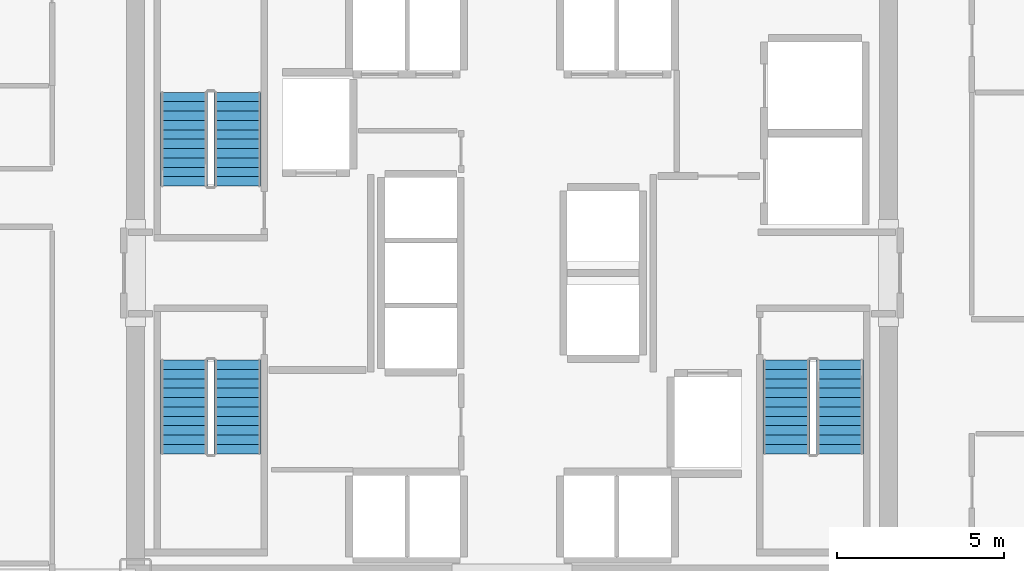
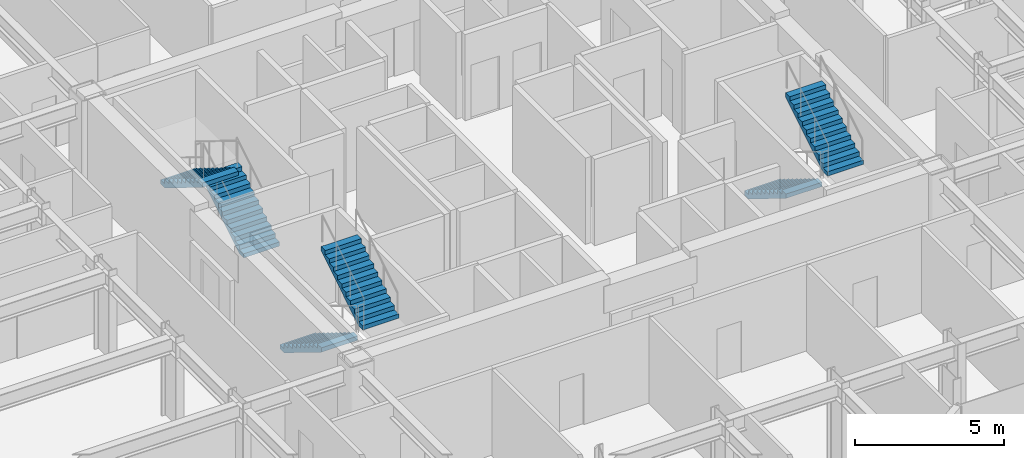
# One storey, part 25 of 26: 6 stair flights, 3 elements without a shape of their own.
"""IFC4 building model written with IfcOpenShell, lengths in metres."""

from ifc_helpers import new_model, si_unit, direction, frame, origin, place, context, subcontext, project, spatial, polyline, outline, extrude, source, transform, mapped, material, type_object, element, aggregate, save


model = new_model("IFC4")

# Units and contexts
model_context = context("Model", 3, precision=1e-05, world=origin(), true_north=direction((0.0, 1.0)))
body_context = subcontext(model_context, "Body", "Model", "MODEL_VIEW")
ifc_project = project(units=[si_unit("LENGTHUNIT", "METRE"), si_unit("AREAUNIT", "SQUARE_METRE"), si_unit("VOLUMEUNIT", "CUBIC_METRE"), si_unit("PLANEANGLEUNIT", "RADIAN"), si_unit("MASSUNIT", "GRAM", prefix="KILO")], contexts=[model_context])

# Site, building, storey
site_placement = place(None, origin())
site = spatial("IfcSite", under=ifc_project, at=site_placement, CompositionType="ELEMENT")
building_placement = place(site_placement, origin())
building = spatial("IfcBuilding", under=site, at=building_placement, Name="Nefas-Gora Pilgrimage Tower", CompositionType="ELEMENT")
storey_placement = place(building_placement, frame((0.0, 0.0, 128.800048828125)))
storey = spatial("IfcBuildingStorey", under=building, at=storey_placement, Name="L31", CompositionType="ELEMENT", Elevation=128.800048828125)

# Stair, stair flights
ifc_material = material(Name="Concrete C45/55", Category="concrete")
stair_type = type_object("IfcStairType", Name="STR-1400-R1727", PredefinedType="HALF_TURN_STAIR", material=ifc_material)
stair_1_placement = place(storey_placement, origin())
stair_1 = element("IfcStair", 1, at=stair_1_placement, inside=storey, type_object=stair_type, Name="L31 Pressurised Tower Exit Stair ST-01", PredefinedType="HALF_TURN_STAIR")
stair_flight_type = type_object("IfcStairFlightType", Name="STF-1400-R1727", PredefinedType="STRAIGHT", material=ifc_material)
shared_shape = source(origin(), body_context, "Body", "SweptSolid", [
    extrude(outline(polyline([(0.0, 0.0), (0.0, 0.172607421875), (0.280029296875, 0.172607421875), (0.280029296875, 0.345458984375), (0.56005859375, 0.345458984375), (0.56005859375, 0.51806640625), (0.840087890625, 0.51806640625), (0.840087890625, 0.69091796875), (1.1201171875, 0.69091796875), (1.1201171875, 0.863525390625), (1.39990234375, 0.863525390625), (1.39990234375, 1.036376953125), (1.679931640625, 1.036376953125), (1.679931640625, 1.208984375), (1.9599609375, 1.208984375), (1.9599609375, 1.3818359375), (2.239990234375, 1.3818359375), (2.239990234375, 1.554443359375), (2.52001953125, 1.554443359375), (2.52001953125, 1.727294921875), (2.800048828125, 1.727294921875), (2.800048828125, 1.89990234375), (2.800048828125, 1.551025390625), (0.285400390625, 0.0), (0.0, 0.0)])), frame((0.0, 0.699951171875, 0.0), z_axis=(0.0, -1.0, 0.0), x_axis=(1.0, 0.0, 0.0)), (0.0, 0.0, 1.0), 1.39990234375),
])
stair_flight_1_placement = place(storey_placement, frame((-8.199951171875, 2.60009765625, 0.0), z_axis=(0.0, 0.0, 1.0), x_axis=(0.0, 1.0, 0.0)))
stair_flight_1 = element("IfcStairFlight", 2, at=stair_flight_1_placement, type_object=stair_flight_type, Name="ST-01 flight 1", NumberOfRisers=11, NumberOfTreads=10, PredefinedType="STRAIGHT", RiserHeight=0.172727273, TreadLength=0.28, context=body_context, shape_type="MappedRepresentation", body=[
    mapped(shared_shape, transform((0.0, 0.0, 0.0), x_axis=(1.0, 0.0, 0.0), y_axis=(0.0, 1.0, 0.0), z_axis=(0.0, 0.0, 1.0), scale=1.0)),
])
stair_flight_2_placement = place(storey_placement, frame((-9.800048828125, 5.39990234375, 1.89990234375), z_axis=(0.0, 0.0, 1.0), x_axis=(0.0, -1.0, 0.0)))
stair_flight_2 = element("IfcStairFlight", 3, at=stair_flight_2_placement, type_object=stair_flight_type, Name="ST-01 flight 2", NumberOfRisers=11, NumberOfTreads=10, PredefinedType="STRAIGHT", RiserHeight=0.172727273, TreadLength=0.28, context=body_context, shape_type="MappedRepresentation", body=[
    mapped(shared_shape, transform((0.0, 0.0, 0.0), x_axis=(1.0, 0.0, 0.0), y_axis=(0.0, 1.0, 0.0), z_axis=(0.0, 0.0, 1.0), scale=1.0)),
])
aggregate(stair_1, [stair_flight_1, stair_flight_2])

stair_2_placement = place(storey_placement, origin())
stair_2 = element("IfcStair", 4, at=stair_2_placement, inside=storey, type_object=stair_type, Name="L31 Pressurised Tower Exit Stair ST-02", PredefinedType="HALF_TURN_STAIR")
stair_flight_3_placement = place(storey_placement, frame((8.199951171875, -2.60009765625, 0.0), z_axis=(0.0, 0.0, 1.0), x_axis=(0.0, -1.0, 0.0)))
stair_flight_3 = element("IfcStairFlight", 5, at=stair_flight_3_placement, type_object=stair_flight_type, Name="ST-02 flight 1", NumberOfRisers=11, NumberOfTreads=10, PredefinedType="STRAIGHT", RiserHeight=0.172727273, TreadLength=0.28, context=body_context, shape_type="MappedRepresentation", body=[
    mapped(shared_shape, transform((0.0, 0.0, 0.0), x_axis=(1.0, 0.0, 0.0), y_axis=(0.0, 1.0, 0.0), z_axis=(0.0, 0.0, 1.0), scale=1.0)),
])
stair_flight_4_placement = place(storey_placement, frame((9.800048828125, -5.39990234375, 1.89990234375), z_axis=(0.0, 0.0, 1.0), x_axis=(0.0, 1.0, 0.0)))
stair_flight_4 = element("IfcStairFlight", 6, at=stair_flight_4_placement, type_object=stair_flight_type, Name="ST-02 flight 2", NumberOfRisers=11, NumberOfTreads=10, PredefinedType="STRAIGHT", RiserHeight=0.172727273, TreadLength=0.28, context=body_context, shape_type="MappedRepresentation", body=[
    mapped(shared_shape, transform((0.0, 0.0, 0.0), x_axis=(1.0, 0.0, 0.0), y_axis=(0.0, 1.0, 0.0), z_axis=(0.0, 0.0, 1.0), scale=1.0)),
])
aggregate(stair_2, [stair_flight_3, stair_flight_4])

stair_3_placement = place(storey_placement, origin())
stair_3 = element("IfcStair", 7, at=stair_3_placement, inside=storey, type_object=stair_type, Name="L31 Pressurised Tower Exit Stair ST-03", PredefinedType="HALF_TURN_STAIR")
stair_flight_5_placement = place(storey_placement, frame((-9.800048828125, -2.60009765625, 0.0), z_axis=(0.0, 0.0, 1.0), x_axis=(0.0, -1.0, 0.0)))
stair_flight_5 = element("IfcStairFlight", 8, at=stair_flight_5_placement, type_object=stair_flight_type, Name="ST-03 flight 1", NumberOfRisers=11, NumberOfTreads=10, PredefinedType="STRAIGHT", RiserHeight=0.172727273, TreadLength=0.28, context=body_context, shape_type="MappedRepresentation", body=[
    mapped(shared_shape, transform((0.0, 0.0, 0.0), x_axis=(1.0, 0.0, 0.0), y_axis=(0.0, 1.0, 0.0), z_axis=(0.0, 0.0, 1.0), scale=1.0)),
])
stair_flight_6_placement = place(storey_placement, frame((-8.199951171875, -5.39990234375, 1.89990234375), z_axis=(0.0, 0.0, 1.0), x_axis=(0.0, 1.0, 0.0)))
stair_flight_6 = element("IfcStairFlight", 9, at=stair_flight_6_placement, type_object=stair_flight_type, Name="ST-03 flight 2", NumberOfRisers=11, NumberOfTreads=10, PredefinedType="STRAIGHT", RiserHeight=0.172727273, TreadLength=0.28, context=body_context, shape_type="MappedRepresentation", body=[
    mapped(shared_shape, transform((0.0, 0.0, 0.0), x_axis=(1.0, 0.0, 0.0), y_axis=(0.0, 1.0, 0.0), z_axis=(0.0, 0.0, 1.0), scale=1.0)),
])
aggregate(stair_3, [stair_flight_5, stair_flight_6])

save(model, "model.ifc")
